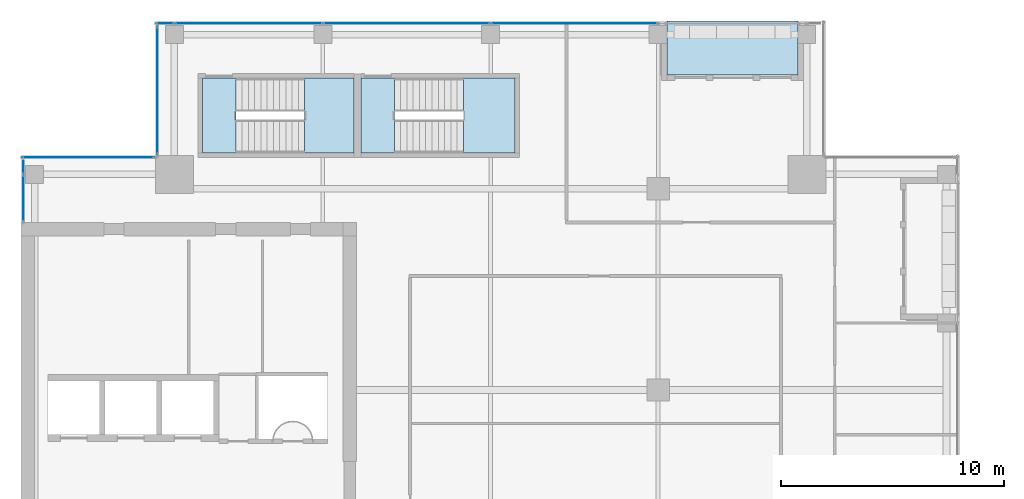
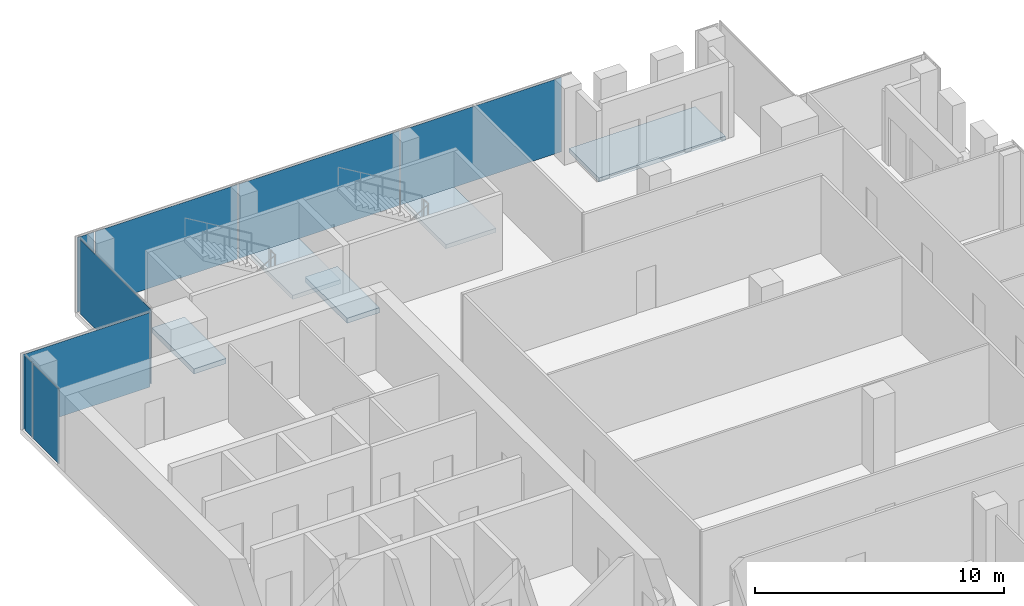
# One storey, part 21 of 28: 8 plates, 5 slabs, 6 elements without a shape of their own.
"""IFC4 building model written with IfcOpenShell, lengths in metres."""

from ifc_helpers import new_model, si_unit, direction, frame, origin, origin_2d, place, context, subcontext, project, spatial, polyline, rectangle, outline, extrude, source, transform, mapped, material, layer, layer_set, type_object, element, aggregate, save


model = new_model("IFC4")

# Units and contexts
model_context = context("Model", 3, precision=1e-05, world=origin(), true_north=direction((0.0, 1.0)))
body_context = subcontext(model_context, "Body", "Model", "MODEL_VIEW")
ifc_project = project(units=[si_unit("LENGTHUNIT", "METRE"), si_unit("AREAUNIT", "SQUARE_METRE"), si_unit("VOLUMEUNIT", "CUBIC_METRE"), si_unit("PLANEANGLEUNIT", "RADIAN"), si_unit("MASSUNIT", "GRAM", prefix="KILO")], contexts=[model_context])

# Site, building, storey
site_placement = place(None, origin())
site = spatial("IfcSite", under=ifc_project, at=site_placement, CompositionType="ELEMENT")
building_placement = place(site_placement, origin())
building = spatial("IfcBuilding", under=site, at=building_placement, Name="Khomas Fold Tower", CompositionType="ELEMENT")
storey_placement = place(building_placement, frame((0.0, 0.0, 302.199951171875)))
storey = spatial("IfcBuildingStorey", under=building, at=storey_placement, Name="L68", CompositionType="ELEMENT", Elevation=302.199951171875)

# Curtain wall, plate
ifc_material_1 = material(Name="Aluminium framed double glazing", Category="aluminium")
curtain_wall_type = type_object("IfcCurtainWallType", Name="SK-Unitised clear-glass wall, upper floors CW3", PredefinedType="NOTDEFINED", material=ifc_material_1)
curtain_wall_1_placement = place(storey_placement, origin())
curtain_wall_1 = element("IfcCurtainWall", 1, at=curtain_wall_1_placement, inside=storey, type_object=curtain_wall_type, Name="CW3 run L68 09-0", PredefinedType="NOTDEFINED")
ifc_material_2 = material(Name="Clear double glazed unit")
ifc_layer_1 = layer(ifc_material_2, 0.028076171875)
ifc_layer_set_1 = layer_set([ifc_layer_1], Name="Clear double glazed unit")
plate_type = type_object("IfcPlateType", Name="SK-Unitised clear-glass wall, upper floors glass panel CW3-P", PredefinedType="CURTAIN_PANEL", material=ifc_layer_set_1)
shared_shape_1 = source(origin(), body_context, "Body", "SweptSolid", [
    extrude(rectangle(XDim=0.574951171875, YDim=0.028076171875, at=origin_2d()), origin(), (0.0, 0.0, 1.0), 3.64990234375),
])
plate_1_placement = place(storey_placement, frame((6.10009765625, 41.46240234375, 0.0), z_axis=(0.0, 0.0, 1.0), x_axis=(0.0, -1.0, 0.0)))
plate_1 = element("IfcPlate", 2, at=plate_1_placement, type_object=plate_type, Name="CW3 glass panel 1", PredefinedType="CURTAIN_PANEL", context=body_context, shape_type="MappedRepresentation", body=[
    mapped(shared_shape_1, transform((0.0, 0.0, 0.0))),
])

# Curtain wall, plates
curtain_wall_2_placement = place(storey_placement, origin())
curtain_wall_2 = element("IfcCurtainWall", 3, at=curtain_wall_2_placement, inside=storey, type_object=curtain_wall_type, Name="CW3 run L68 06-1", PredefinedType="NOTDEFINED")
shared_shape_2 = source(origin(), body_context, "Body", "SweptSolid", [
    extrude(rectangle(XDim=6.60009765625, YDim=0.028076171875, at=origin_2d()), origin(), (0.0, 0.0, 1.0), 3.64990234375),
])
plate_2_placement = place(storey_placement, frame((16.175048828125, 47.89990234375, 0.0), z_axis=(0.0, 0.0, 1.0), x_axis=(-1.0, 0.0, 0.0)))
plate_2 = element("IfcPlate", 4, at=plate_2_placement, type_object=plate_type, Name="CW3 glass panel 4", PredefinedType="CURTAIN_PANEL", context=body_context, shape_type="MappedRepresentation", body=[
    mapped(shared_shape_2, transform((0.0, 0.0, 0.0))),
])
shared_shape_3 = source(origin(), body_context, "Body", "SweptSolid", [
    extrude(rectangle(XDim=7.449951171875, YDim=0.028076171875, at=origin_2d()), origin(), (0.0, 0.0, 1.0), 3.64990234375),
])
plate_3_placement = place(storey_placement, frame((30.75, 47.89990234375, 0.0), z_axis=(0.0, 0.0, 1.0), x_axis=(-1.0, 0.0, 0.0)))
plate_3 = element("IfcPlate", 5, at=plate_3_placement, type_object=plate_type, Name="CW3 glass panel 2", PredefinedType="CURTAIN_PANEL", context=body_context, shape_type="MappedRepresentation", body=[
    mapped(shared_shape_3, transform((0.0, 0.0, 0.0))),
])
plate_4_placement = place(storey_placement, frame((23.25, 47.89990234375, 0.0), z_axis=(0.0, 0.0, 1.0), x_axis=(-1.0, 0.0, 0.0)))
plate_4 = element("IfcPlate", 6, at=plate_4_placement, type_object=plate_type, Name="CW3 glass panel 3", PredefinedType="CURTAIN_PANEL", context=body_context, shape_type="MappedRepresentation", body=[
    mapped(shared_shape_3, transform((0.0, 0.0, 0.0))),
])
shared_shape_4 = source(origin(), body_context, "Body", "SweptSolid", [
    extrude(rectangle(XDim=0.77490234375, YDim=0.028076171875, at=origin_2d()), origin(), (0.0, 0.0, 1.0), 3.64990234375),
])
plate_5_placement = place(storey_placement, frame((12.4375, 47.89990234375, 0.0), z_axis=(0.0, 0.0, 1.0), x_axis=(-1.0, 0.0, 0.0)))
plate_5 = element("IfcPlate", 7, at=plate_5_placement, type_object=plate_type, Name="CW3 glass panel 5", PredefinedType="CURTAIN_PANEL", context=body_context, shape_type="MappedRepresentation", body=[
    mapped(shared_shape_4, transform((0.0, 0.0, 0.0))),
])
aggregate(curtain_wall_2, [plate_3, plate_4, plate_2, plate_5])

# Curtain wall, plate
curtain_wall_3_placement = place(storey_placement, origin())
curtain_wall_3 = element("IfcCurtainWall", 8, at=curtain_wall_3_placement, inside=storey, type_object=curtain_wall_type, Name="CW3 corner return L68 07", PredefinedType="NOTDEFINED")
shared_shape_5 = source(origin(), body_context, "Body", "SweptSolid", [
    extrude(rectangle(XDim=5.699951171875, YDim=0.028076171875, at=origin_2d()), origin(), (0.0, 0.0, 1.0), 3.64990234375),
])
plate_6_placement = place(storey_placement, frame((12.10009765625, 44.89990234375, 0.0), z_axis=(0.0, 0.0, 1.0), x_axis=(0.0, -1.0, 0.0)))
plate_6 = element("IfcPlate", 9, at=plate_6_placement, type_object=plate_type, Name="CW3 glass panel 1", PredefinedType="CURTAIN_PANEL", context=body_context, shape_type="MappedRepresentation", body=[
    mapped(shared_shape_5, transform((0.0, 0.0, 0.0))),
])
aggregate(curtain_wall_3, [plate_6])

curtain_wall_4_placement = place(storey_placement, origin())
curtain_wall_4 = element("IfcCurtainWall", 10, at=curtain_wall_4_placement, inside=storey, type_object=curtain_wall_type, Name="CW3 corner return L68 08", PredefinedType="NOTDEFINED")
shared_shape_6 = source(origin(), body_context, "Body", "SweptSolid", [
    extrude(rectangle(XDim=5.89990234375, YDim=0.028076171875, at=origin_2d()), origin(), (0.0, 0.0, 1.0), 3.64990234375),
])
plate_7_placement = place(storey_placement, frame((9.0, 41.89990234375, 0.0), z_axis=(0.0, 0.0, 1.0), x_axis=(-1.0, 0.0, 0.0)))
plate_7 = element("IfcPlate", 11, at=plate_7_placement, type_object=plate_type, Name="CW3 glass panel 1", PredefinedType="CURTAIN_PANEL", context=body_context, shape_type="MappedRepresentation", body=[
    mapped(shared_shape_6, transform((0.0, 0.0, 0.0))),
])
aggregate(curtain_wall_4, [plate_7])

# Plate
shared_shape_7 = source(origin(), body_context, "Body", "SweptSolid", [
    extrude(rectangle(XDim=2.074951171875, YDim=0.028076171875, at=origin_2d()), origin(), (0.0, 0.0, 1.0), 3.64990234375),
])
plate_8_placement = place(storey_placement, frame((6.10009765625, 40.08740234375, 0.0), z_axis=(0.0, 0.0, 1.0), x_axis=(0.0, -1.0, 0.0)))
plate_8 = element("IfcPlate", 12, at=plate_8_placement, type_object=plate_type, Name="CW3 glass panel 2", PredefinedType="CURTAIN_PANEL", context=body_context, shape_type="MappedRepresentation", body=[
    mapped(shared_shape_7, transform((0.0, 0.0, 0.0))),
])

aggregate(curtain_wall_1, [plate_1, plate_8])

# Slab
ifc_material_3 = material(Name="Concrete C40/50", Category="concrete")
ifc_layer_2 = layer(ifc_material_3, 0.205078125)
ifc_layer_set_2 = layer_set([ifc_layer_2], Name="Concrete C40/50")
slab_type_1 = type_object("IfcSlabType", Name="BL-Balcony deck 205", PredefinedType="FLOOR", material=ifc_layer_set_2)
shared_shape_8 = source(origin(), body_context, "Body", "SweptSolid", [
    extrude(outline(polyline([(34.89990234375, 45.60009765625), (40.75, 45.60009765625), (40.75, 48.0), (34.89990234375, 48.0), (34.89990234375, 45.60009765625)])), origin(), (0.0, 0.0, 1.0), 0.205078125),
])
slab_1_placement = place(storey_placement, frame((0.0, 0.0, -0.25)))
element("IfcSlab", 13, at=slab_1_placement, inside=storey, type_object=slab_type_1, Name="Balcony deck BAL-L68-N4", PredefinedType="FLOOR", context=body_context, shape_type="MappedRepresentation", body=[
    mapped(shared_shape_8, transform((0.0, 0.0, 0.0))),
])

# Stair, slab
ifc_material_4 = material(Name="Concrete C40/50", Category="concrete")
stair_type_1 = type_object("IfcStairType", Name="Stair ST1", PredefinedType="HALF_TURN_STAIR", material=ifc_material_4)
stair_1_placement = place(storey_placement, origin())
stair_1 = element("IfcStair", 14, at=stair_1_placement, inside=storey, type_object=stair_type_1, Name="L68 ST1", PredefinedType="HALF_TURN_STAIR")
ifc_material_5 = material(Name="Concrete C40/50", Category="concrete")
ifc_layer_3 = layer(ifc_material_5, 0.199951171875)
ifc_layer_set_3 = layer_set([ifc_layer_3], Name="Concrete C40/50")
slab_type_2 = type_object("IfcSlabType", Name="Stair landing 200", PredefinedType="LANDING", material=ifc_layer_set_3)
shared_shape_9 = source(origin(), body_context, "Body", "SweptSolid", [
    extrude(outline(polyline([(18.679931640625, 42.10009765625), (20.89990234375, 42.10009765625), (20.89990234375, 45.449951171875), (18.679931640625, 45.449951171875), (18.679931640625, 42.10009765625)])), origin(), (0.0, 0.0, 1.0), 0.199951171875),
])
slab_2_placement = place(storey_placement, frame((0.0, 0.0, 1.800048828125)))
slab_2 = element("IfcSlab", 15, at=slab_2_placement, type_object=slab_type_2, Name="ST1 landing 1", PredefinedType="LANDING", context=body_context, shape_type="MappedRepresentation", body=[
    mapped(shared_shape_9, transform((0.0, 0.0, 0.0))),
])
aggregate(stair_1, [slab_2])

# Slab
ifc_material_6 = material(Name="Concrete C40/50", Category="concrete")
ifc_layer_4 = layer(ifc_material_6, 0.25)
ifc_layer_set_4 = layer_set([ifc_layer_4], Name="Concrete C40/50")
slab_type_3 = type_object("IfcSlabType", Name="Stair floor landing 250", PredefinedType="LANDING", material=ifc_layer_set_4)
shared_shape_10 = source(origin(), body_context, "Body", "SweptSolid", [
    extrude(outline(polyline([(15.60009765625, 42.10009765625), (14.10009765625, 42.10009765625), (14.10009765625, 45.449951171875), (15.60009765625, 45.449951171875), (15.60009765625, 42.10009765625)])), origin(), (0.0, 0.0, 1.0), 0.25),
])
slab_3_placement = place(storey_placement, frame((0.0, 0.0, -0.25)))
element("IfcSlab", 16, at=slab_3_placement, inside=storey, type_object=slab_type_3, Name="ST1 floor landing", PredefinedType="LANDING", context=body_context, shape_type="MappedRepresentation", body=[
    mapped(shared_shape_10, transform((0.0, 0.0, 0.0))),
])

# Stair, slab
ifc_material_7 = material(Name="Concrete C40/50", Category="concrete")
stair_type_2 = type_object("IfcStairType", Name="Stair ST3", PredefinedType="HALF_TURN_STAIR", material=ifc_material_7)
stair_2_placement = place(storey_placement, origin())
stair_2 = element("IfcStair", 17, at=stair_2_placement, inside=storey, type_object=stair_type_2, Name="L68 ST3", PredefinedType="HALF_TURN_STAIR")
shared_shape_11 = source(origin(), body_context, "Body", "SweptSolid", [
    extrude(outline(polyline([(25.780029296875, 42.10009765625), (28.10009765625, 42.10009765625), (28.10009765625, 45.449951171875), (25.780029296875, 45.449951171875), (25.780029296875, 42.10009765625)])), origin(), (0.0, 0.0, 1.0), 0.199951171875),
])
slab_4_placement = place(storey_placement, frame((0.0, 0.0, 1.800048828125)))
slab_4 = element("IfcSlab", 18, at=slab_4_placement, type_object=slab_type_2, Name="ST3 landing 1", PredefinedType="LANDING", context=body_context, shape_type="MappedRepresentation", body=[
    mapped(shared_shape_11, transform((0.0, 0.0, 0.0))),
])
aggregate(stair_2, [slab_4])

# Slab
shared_shape_12 = source(origin(), body_context, "Body", "SweptSolid", [
    extrude(outline(polyline([(22.699951171875, 42.10009765625), (21.199951171875, 42.10009765625), (21.199951171875, 45.449951171875), (22.699951171875, 45.449951171875), (22.699951171875, 42.10009765625)])), origin(), (0.0, 0.0, 1.0), 0.25),
])
slab_5_placement = place(storey_placement, frame((0.0, 0.0, -0.25)))
element("IfcSlab", 19, at=slab_5_placement, inside=storey, type_object=slab_type_3, Name="ST3 floor landing", PredefinedType="LANDING", context=body_context, shape_type="MappedRepresentation", body=[
    mapped(shared_shape_12, transform((0.0, 0.0, 0.0))),
])

save(model, "model.ifc")
